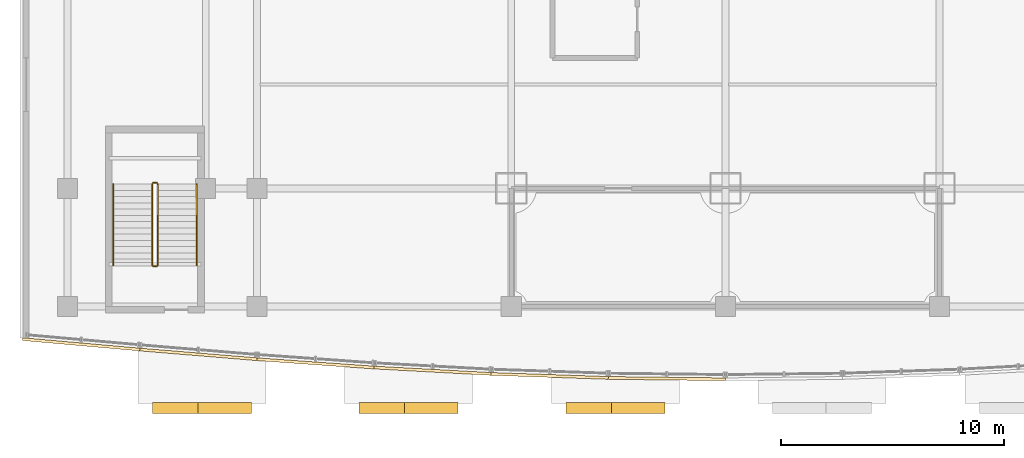
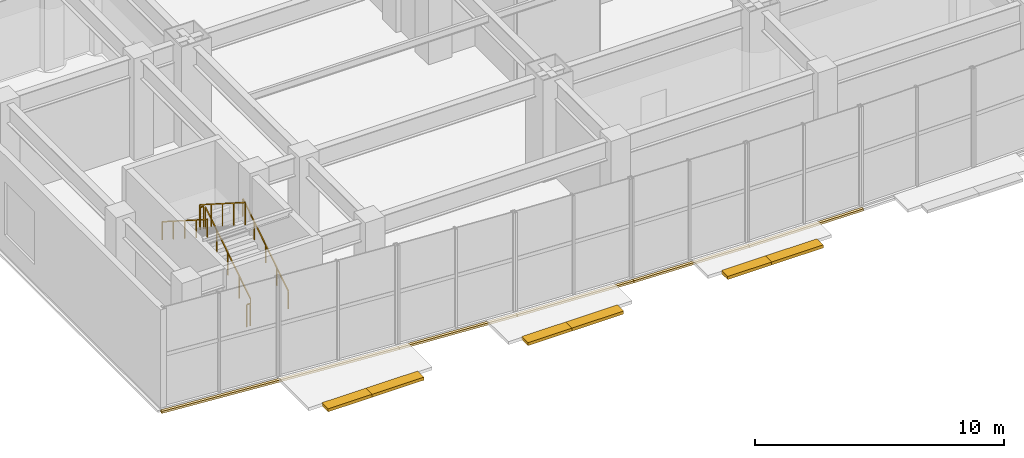
# One storey, part 16 of 24: 6 coverings, 6 railings, 6 shading devices.
"""IFC4 building model written with IfcOpenShell, lengths in metres."""

from ifc_helpers import new_model, si_unit, direction, frame, origin, origin_2d, place, context, subcontext, project, spatial, polyline, rectangle, outline, extrude, material, layer, layer_set, type_object, element, save


model = new_model("IFC4")

# Units and contexts
model_context = context("Model", 3, precision=1e-05, world=origin(), true_north=direction((0.0, 1.0)))
body_context = subcontext(model_context, "Body", "Model", "MODEL_VIEW")
ifc_project = project(units=[si_unit("LENGTHUNIT", "METRE"), si_unit("AREAUNIT", "SQUARE_METRE"), si_unit("VOLUMEUNIT", "CUBIC_METRE"), si_unit("PLANEANGLEUNIT", "RADIAN"), si_unit("MASSUNIT", "GRAM", prefix="KILO")], contexts=[model_context])

# Site, building, storey
site_placement = place(None, origin())
site = spatial("IfcSite", under=ifc_project, at=site_placement, CompositionType="ELEMENT")
building_placement = place(site_placement, origin())
building = spatial("IfcBuilding", under=site, at=building_placement, Name="Vantalir Tower", CompositionType="ELEMENT")
storey_placement = place(building_placement, frame((0.0, 0.0, 6.0)))
storey = spatial("IfcBuildingStorey", under=building, at=storey_placement, Name="L01", CompositionType="ELEMENT", Elevation=6.0)

# Coverings
ifc_material_1 = material(Name="Anodised champagne aluminium sill fascia", Category="aluminium")
ifc_layer_1 = layer(ifc_material_1, 0.125)
ifc_layer_set_1 = layer_set([ifc_layer_1], Name="Anodised champagne aluminium sill fascia")
covering_type = type_object("IfcCoveringType", Name="COV-SLAB-FASCIA-125", PredefinedType="CLADDING", material=ifc_layer_set_1)
covering_1_placement = place(storey_placement, frame((0.0, 0.0, -0.179931640625)))
element("IfcCovering", 1, at=covering_1_placement, inside=storey, type_object=covering_type, Name="Level 01 South Prow Slab-Edge Fascia 01", PredefinedType="CLADDING", context=body_context, shape_type="SweptSolid", body=[
    extrude(outline(polyline([(0.0, 1.800048828125), (-0.010986328125, 1.675048828125), (5.239013671875, 1.208984375), (5.25, 1.333984375), (0.0, 1.800048828125)])), origin(), (0.0, 0.0, 1.0), 0.10498046875),
])
covering_2_placement = place(storey_placement, frame((0.0, 0.0, -0.179931640625)))
element("IfcCovering", 2, at=covering_2_placement, inside=storey, type_object=covering_type, Name="Level 01 South Prow Slab-Edge Fascia 02", PredefinedType="CLADDING", context=body_context, shape_type="SweptSolid", body=[
    extrude(outline(polyline([(5.25, 1.333984375), (5.239990234375, 1.208984375), (10.489990234375, 0.77490234375), (10.5, 0.89990234375), (5.25, 1.333984375)])), origin(), (0.0, 0.0, 1.0), 0.10498046875),
])
covering_3_placement = place(storey_placement, frame((0.0, 0.0, -0.179931640625)))
element("IfcCovering", 3, at=covering_3_placement, inside=storey, type_object=covering_type, Name="Level 01 South Prow Slab-Edge Fascia 03", PredefinedType="CLADDING", context=body_context, shape_type="SweptSolid", body=[
    extrude(outline(polyline([(10.5, 0.89990234375), (10.490966796875, 0.77490234375), (15.740966796875, 0.402099609375), (15.75, 0.527099609375), (10.5, 0.89990234375)])), origin(), (0.0, 0.0, 1.0), 0.10498046875),
])
covering_4_placement = place(storey_placement, frame((0.0, 0.0, -0.179931640625)))
element("IfcCovering", 4, at=covering_4_placement, inside=storey, type_object=covering_type, Name="Level 01 South Prow Slab-Edge Fascia 04", PredefinedType="CLADDING", context=body_context, shape_type="SweptSolid", body=[
    extrude(outline(polyline([(15.75, 0.527099609375), (15.742919921875, 0.402099609375), (20.992919921875, 0.115966796875), (21.0, 0.240966796875), (15.75, 0.527099609375)])), origin(), (0.0, 0.0, 1.0), 0.10498046875),
])
covering_5_placement = place(storey_placement, frame((0.0, 0.0, -0.179931640625)))
element("IfcCovering", 5, at=covering_5_placement, inside=storey, type_object=covering_type, Name="Level 01 South Prow Slab-Edge Fascia 05", PredefinedType="CLADDING", context=body_context, shape_type="SweptSolid", body=[
    extrude(outline(polyline([(21.0, 0.240966796875), (20.99609375, 0.115966796875), (26.24609375, -0.06396484375), (26.25, 0.06103515625), (21.0, 0.240966796875)])), origin(), (0.0, 0.0, 1.0), 0.10498046875),
])
covering_6_placement = place(storey_placement, frame((0.0, 0.0, -0.179931640625)))
element("IfcCovering", 6, at=covering_6_placement, inside=storey, type_object=covering_type, Name="Level 01 South Prow Slab-Edge Fascia 06", PredefinedType="CLADDING", context=body_context, shape_type="SweptSolid", body=[
    extrude(outline(polyline([(26.25, 0.06103515625), (26.2490234375, -0.06396484375), (31.4990234375, -0.125), (31.5, 0.0), (26.25, 0.06103515625)])), origin(), (0.0, 0.0, 1.0), 0.10498046875),
])

# Railings
ifc_material_2 = material(Name="Anodised aluminium and stainless steel guard", Category="steel")
railing_type_1 = type_object("IfcRailingType", Name="RAL-GUARD-1120", PredefinedType="GUARDRAIL", material=ifc_material_2)
railing_1_placement = place(storey_placement, frame((6.050048828125, 5.050048828125, 0.178466796875)))
element("IfcRailing", 7, at=railing_1_placement, inside=storey, type_object=railing_type_1, Name="Level 01 PST3 stair guard 1", PredefinedType="GUARDRAIL", context=body_context, shape_type="SweptSolid", body=[
    extrude(rectangle(XDim=0.048095703125, YDim=0.048095703125, at=origin_2d()), frame((0.0, 0.0, 1.09619140625), z_axis=(0.0, 0.843111507901, 0.53773877045), x_axis=(-1.0, 0.0, 0.0)), (0.0, 0.0, 1.0), 4.317138671875),
    extrude(rectangle(XDim=0.0419921875, YDim=0.0419921875, at=origin_2d()), origin(), (0.0, 0.0, 1.0), 1.072021484375),
    extrude(rectangle(XDim=0.0419921875, YDim=0.0419921875, at=origin_2d()), frame((0.0, 0.909912109375, 0.580322265625)), (0.0, 0.0, 1.0), 1.072021484375),
    extrude(rectangle(XDim=0.0419921875, YDim=0.0419921875, at=origin_2d()), frame((0.0, 1.81982421875, 1.16064453125)), (0.0, 0.0, 1.0), 1.072021484375),
    extrude(rectangle(XDim=0.0419921875, YDim=0.0419921875, at=origin_2d()), frame((0.0, 2.72998046875, 1.7412109375)), (0.0, 0.0, 1.0), 1.072021484375),
    extrude(rectangle(XDim=0.0419921875, YDim=0.0419921875, at=origin_2d()), frame((0.0, 3.639892578125, 2.321533203125)), (0.0, 0.0, 1.0), 1.072021484375),
])
railing_2_placement = place(storey_placement, frame((6.0, 8.739990234375, 2.5)))
element("IfcRailing", 8, at=railing_2_placement, inside=storey, type_object=railing_type_1, Name="Level 01 PST3 stair guard 2", PredefinedType="GUARDRAIL", context=body_context, shape_type="SweptSolid", body=[
    extrude(rectangle(XDim=0.048095703125, YDim=0.048095703125, at=origin_2d()), frame((0.0, 0.0, 1.09619140625), z_axis=(-1.0, 0.0, 0.0), x_axis=(0.0, -1.0, 0.0)), (0.0, 0.0, 1.0), 0.14990234375),
    extrude(rectangle(XDim=0.0419921875, YDim=0.0419921875, at=origin_2d()), origin(), (0.0, 0.0, 1.0), 1.072021484375),
    extrude(rectangle(XDim=0.0419921875, YDim=0.0419921875, at=origin_2d()), frame((-0.14990234375, 0.0, 0.0)), (0.0, 0.0, 1.0), 1.072021484375),
])
railing_3_placement = place(storey_placement, frame((5.800048828125, 8.68994140625, 2.678466796875)))
element("IfcRailing", 9, at=railing_3_placement, inside=storey, type_object=railing_type_1, Name="Level 01 PST3 stair guard 3", PredefinedType="GUARDRAIL", context=body_context, shape_type="SweptSolid", body=[
    extrude(rectangle(XDim=0.048095703125, YDim=0.048095703125, at=origin_2d()), frame((0.0, 0.0, 1.09619140625), z_axis=(0.0, -0.843111507901, 0.53773877045), x_axis=(1.0, 0.0, 0.0)), (0.0, 0.0, 1.0), 4.317138671875),
    extrude(rectangle(XDim=0.0419921875, YDim=0.0419921875, at=origin_2d()), origin(), (0.0, 0.0, 1.0), 1.072021484375),
    extrude(rectangle(XDim=0.0419921875, YDim=0.0419921875, at=origin_2d()), frame((0.0, -0.909912109375, 0.580322265625)), (0.0, 0.0, 1.0), 1.072021484375),
    extrude(rectangle(XDim=0.0419921875, YDim=0.0419921875, at=origin_2d()), frame((0.0, -1.81982421875, 1.16064453125)), (0.0, 0.0, 1.0), 1.072021484375),
    extrude(rectangle(XDim=0.0419921875, YDim=0.0419921875, at=origin_2d()), frame((0.0, -2.72998046875, 1.7412109375)), (0.0, 0.0, 1.0), 1.072021484375),
    extrude(rectangle(XDim=0.0419921875, YDim=0.0419921875, at=origin_2d()), frame((0.0, -3.639892578125, 2.321533203125)), (0.0, 0.0, 1.0), 1.072021484375),
])
railing_4_placement = place(storey_placement, frame((6.0, 5.0, 0.0)))
element("IfcRailing", 10, at=railing_4_placement, inside=storey, type_object=railing_type_1, Name="Level 01 PST3 stair guard 4", PredefinedType="GUARDRAIL", context=body_context, shape_type="SweptSolid", body=[
    extrude(rectangle(XDim=0.048095703125, YDim=0.048095703125, at=origin_2d()), frame((0.0, 0.0, 1.09619140625), z_axis=(-1.0, 0.0, 0.0), x_axis=(0.0, -1.0, 0.0)), (0.0, 0.0, 1.0), 0.14990234375),
    extrude(rectangle(XDim=0.0419921875, YDim=0.0419921875, at=origin_2d()), origin(), (0.0, 0.0, 1.0), 1.072021484375),
    extrude(rectangle(XDim=0.0419921875, YDim=0.0419921875, at=origin_2d()), frame((-0.14990234375, 0.0, 0.0)), (0.0, 0.0, 1.0), 1.072021484375),
])
ifc_material_3 = material(Name="Brushed stainless steel tubular handrail", Category="steel")
railing_type_2 = type_object("IfcRailingType", Name="RAL-HANDRAIL-900", PredefinedType="HANDRAIL", material=ifc_material_3)
railing_5_placement = place(storey_placement, frame((7.800048828125, 5.050048828125, 0.178466796875)))
element("IfcRailing", 11, at=railing_5_placement, inside=storey, type_object=railing_type_2, Name="Level 01 PST3 stair handrail 1", PredefinedType="HANDRAIL", context=body_context, shape_type="SweptSolid", body=[
    extrude(rectangle(XDim=0.048095703125, YDim=0.048095703125, at=origin_2d()), frame((0.0, 0.0, 0.8759765625), z_axis=(0.0, 0.843111507901, 0.53773877045), x_axis=(-1.0, 0.0, 0.0)), (0.0, 0.0, 1.0), 4.317138671875),
    extrude(rectangle(XDim=0.0419921875, YDim=0.0419921875, at=origin_2d()), origin(), (0.0, 0.0, 1.0), 0.851806640625),
    extrude(rectangle(XDim=0.0419921875, YDim=0.0419921875, at=origin_2d()), frame((0.0, 0.909912109375, 0.580322265625)), (0.0, 0.0, 1.0), 0.851806640625),
    extrude(rectangle(XDim=0.0419921875, YDim=0.0419921875, at=origin_2d()), frame((0.0, 1.81982421875, 1.16064453125)), (0.0, 0.0, 1.0), 0.851806640625),
    extrude(rectangle(XDim=0.0419921875, YDim=0.0419921875, at=origin_2d()), frame((0.0, 2.72998046875, 1.7412109375)), (0.0, 0.0, 1.0), 0.851806640625),
    extrude(rectangle(XDim=0.0419921875, YDim=0.0419921875, at=origin_2d()), frame((0.0, 3.639892578125, 2.321533203125)), (0.0, 0.0, 1.0), 0.851806640625),
])
railing_6_placement = place(storey_placement, frame((4.050048828125, 8.68994140625, 2.678466796875)))
element("IfcRailing", 12, at=railing_6_placement, inside=storey, type_object=railing_type_2, Name="Level 01 PST3 stair handrail 2", PredefinedType="HANDRAIL", context=body_context, shape_type="SweptSolid", body=[
    extrude(rectangle(XDim=0.048095703125, YDim=0.048095703125, at=origin_2d()), frame((0.0, 0.0, 0.8759765625), z_axis=(0.0, -0.843111507901, 0.53773877045), x_axis=(1.0, 0.0, 0.0)), (0.0, 0.0, 1.0), 4.317138671875),
    extrude(rectangle(XDim=0.0419921875, YDim=0.0419921875, at=origin_2d()), origin(), (0.0, 0.0, 1.0), 0.851806640625),
    extrude(rectangle(XDim=0.0419921875, YDim=0.0419921875, at=origin_2d()), frame((0.0, -0.909912109375, 0.580322265625)), (0.0, 0.0, 1.0), 0.851806640625),
    extrude(rectangle(XDim=0.0419921875, YDim=0.0419921875, at=origin_2d()), frame((0.0, -1.81982421875, 1.16064453125)), (0.0, 0.0, 1.0), 0.851806640625),
    extrude(rectangle(XDim=0.0419921875, YDim=0.0419921875, at=origin_2d()), frame((0.0, -2.72998046875, 1.7412109375)), (0.0, 0.0, 1.0), 0.851806640625),
    extrude(rectangle(XDim=0.0419921875, YDim=0.0419921875, at=origin_2d()), frame((0.0, -3.639892578125, 2.321533203125)), (0.0, 0.0, 1.0), 0.851806640625),
])

# Shading devices
ifc_material_4 = material(Name="Champagne-silver PVDF aluminium SUNSHADE blade", Category="aluminium")
ifc_layer_2 = layer(ifc_material_4, 0.89990234375)
ifc_layer_set_2 = layer_set([ifc_layer_2], Name="Champagne-silver PVDF aluminium SUNSHADE blade")
shading_device_type = type_object("IfcShadingDeviceType", Name="SHD-TROPICAL-SUNSHADE", PredefinedType="AWNING", material=ifc_layer_set_2)
for number, where, z_axis, x_axis, name in (
    (13, (7.013916015625, -1.35009765625, -0.14990234375), (0.0, 0.0, 1.0), (1.0, 0.0, 0.0), "Level 01 Waterfront Horizontal SUNSHADE 01A"),
    (14, (9.052978515625, -1.35009765625, -0.14990234375), (0.0, 0.0, 1.0), (1.0, 0.0, 0.0), "Level 01 Waterfront Horizontal SUNSHADE 01B"),
    (15, (16.281005859375, -1.35009765625, -0.14990234375), (0.0, 0.0, 1.0), (1.0, 0.0, 0.0), "Level 01 Waterfront Horizontal SUNSHADE 02A"),
    (16, (18.319091796875, -1.35009765625, -0.14990234375), (0.0, 0.0, 1.0), (1.0, 0.0, 0.0), "Level 01 Waterfront Horizontal SUNSHADE 02B"),
    (17, (25.547119140625, -1.35009765625, -0.14990234375), (0.0, 0.0, 1.0), (1.0, 0.0, 0.0), "Level 01 Waterfront Horizontal SUNSHADE 03A"),
    (18, (27.5859375, -1.35009765625, -0.14990234375), (0.0, 0.0, 1.0), (1.0, 0.0, 0.0), "Level 01 Waterfront Horizontal SUNSHADE 03B"),
):
    element("IfcShadingDevice", number, at=place(storey_placement, frame(where, z_axis=z_axis, x_axis=x_axis)), inside=storey, type_object=shading_device_type, Name=name, PredefinedType="AWNING", context=body_context, shape_type="SweptSolid", body=[
        extrude(rectangle(XDim=2.39990234375, YDim=0.5, at=origin_2d()), origin(), (0.0, 0.0, 1.0), 0.14990234375),
    ])

save(model, "model.ifc")
